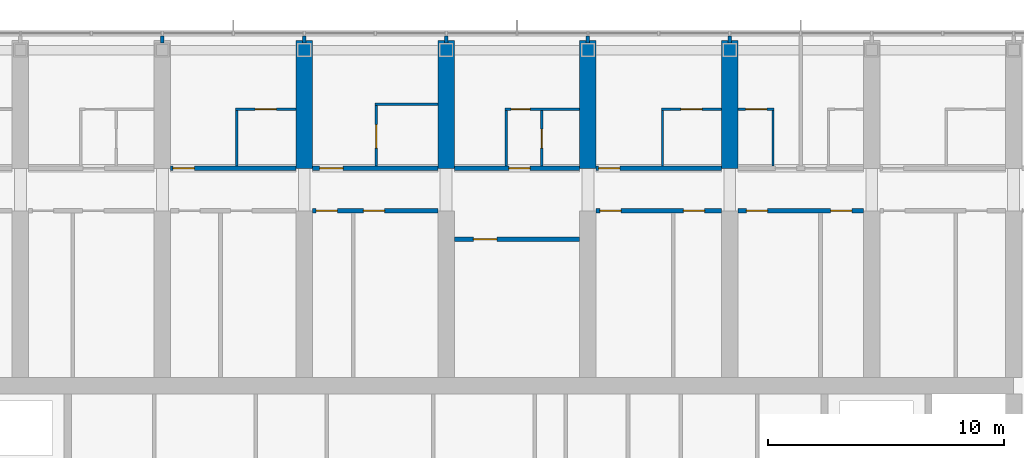
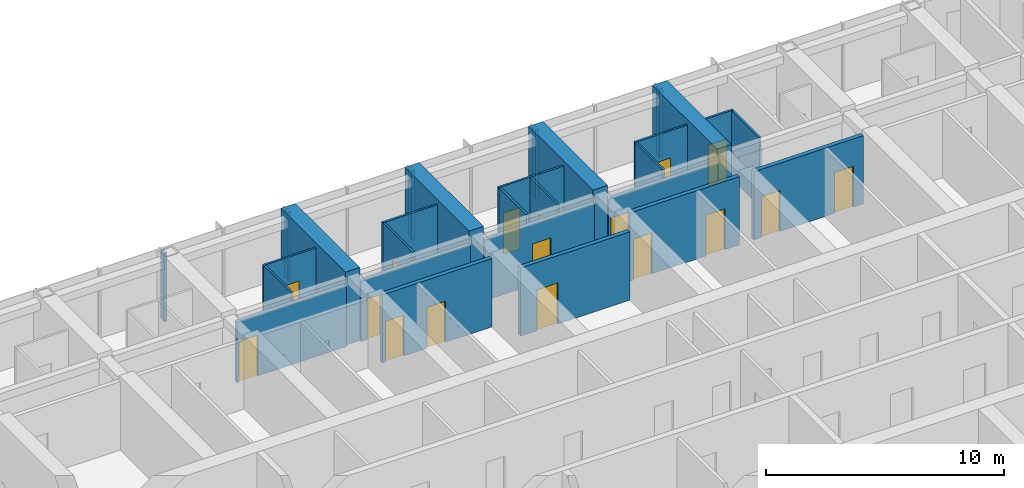
# One storey, part 16 of 23: 28 walls, 17 doors, 17 openings.
"""IFC4 building model written with IfcOpenShell, lengths in metres."""

from ifc_helpers import new_model, si_unit, direction, frame, frame_2d, origin, place, context, subcontext, project, spatial, polyline, rectangle, outline, extrude, material, layer, layer_set, type_object, element, fill, save


model = new_model("IFC4")

# Units and contexts
model_context = context("Model", 3, precision=1e-05, world=origin(), true_north=direction((0.0, 1.0)))
body_context = subcontext(model_context, "Body", "Model", "MODEL_VIEW")
ifc_project = project(units=[si_unit("LENGTHUNIT", "METRE"), si_unit("AREAUNIT", "SQUARE_METRE"), si_unit("VOLUMEUNIT", "CUBIC_METRE"), si_unit("PLANEANGLEUNIT", "RADIAN"), si_unit("MASSUNIT", "GRAM", prefix="KILO")], contexts=[model_context])

# Site, building, storey
site_placement = place(None, origin())
site = spatial("IfcSite", under=ifc_project, at=site_placement, CompositionType="ELEMENT")
building_placement = place(site_placement, origin())
building = spatial("IfcBuilding", under=site, at=building_placement, Name="Orbita Commons", CompositionType="ELEMENT")
storey_placement = place(building_placement, frame((0.0, 0.0, 220.300048828125)))
storey = spatial("IfcBuildingStorey", under=building, at=storey_placement, Name="L54", CompositionType="ELEMENT", Elevation=220.300048828125)

# Wall, opening, door
ifc_material_1 = material(Name="Concrete blockwork", Category="masonry")
ifc_layer_1 = layer(ifc_material_1, 0.199951171875)
ifc_layer_set_1 = layer_set([ifc_layer_1], Name="Concrete blockwork")
wall_type_1 = type_object("IfcWallType", Name="Corridor wall 200 blockwork", PredefinedType="SOLIDWALL", material=ifc_layer_set_1)
wall_1_placement = place(storey_placement, frame((30.35009765625, 47.39990234375, 0.0), z_axis=(0.0, 0.0, 1.0), x_axis=(1.0, 0.0, 0.0)))
wall_1 = element("IfcWall", 1, at=wall_1_placement, inside=storey, type_object=wall_type_1, Name="Corridor wall 200 blockwork L54", PredefinedType="SOLIDWALL", context=body_context, shape_type="SweptSolid", body=[
    extrude(outline(polyline([(0.0, 0.0), (5.2998046875, 0.0), (5.300048828125, 3.099853515625), (0.0, 3.099853515625), (0.0, 0.0)])), frame((0.0, 0.10009765625, 0.0), z_axis=(0.0, -1.0, 0.0), x_axis=(1.0, 0.0, 0.0)), (0.0, 0.0, 1.0), 0.199951171875),
])
opening_1_placement = place(wall_1_placement, frame((0.10009765625, 0.0, 0.0)))
opening_1 = element("IfcOpeningElement", 2, at=opening_1_placement, cuts=wall_1, Name="Opening D11", PredefinedType="OPENING", context=body_context, shape_type="SweptSolid", body=[
    extrude(rectangle(XDim=0.89990234375, YDim=2.10009765625, at=frame_2d((0.449951171875, 1.050048828125))), frame((0.0, 0.10986328125, 0.0), z_axis=(0.0, -1.0, 0.0), x_axis=(1.0, 0.0, 0.0)), (0.0, 0.0, 1.0), 0.219970703125),
])
ifc_material_2 = material(Name="Steel-faced fire door leaf", Category="steel")
door_type_1 = type_object("IfcDoorType", Name="Corridor door 20 min 900x2100", OperationType="SINGLE_SWING_LEFT", PredefinedType="DOOR", material=ifc_material_2)
door_1_placement = place(opening_1_placement, origin())
door_1 = element("IfcDoor", 3, at=door_1_placement, inside=storey, type_object=door_type_1, Name="Studio apartment with kitchenette L54-N04 door", OperationType="SINGLE_SWING_LEFT", OverallHeight=2.10009765625, OverallWidth=0.89990234375, PredefinedType="DOOR", context=body_context, shape_type="SweptSolid", body=[
    extrude(rectangle(XDim=0.89990234375, YDim=2.10009765625, at=frame_2d((0.449951171875, 1.050048828125))), frame((0.0, 0.02490234375, 0.0), z_axis=(0.0, -1.0, 0.0), x_axis=(1.0, 0.0, 0.0)), (0.0, 0.0, 1.0), 0.050048828125),
])
fill(opening_1, door_1)

wall_2_placement = place(storey_placement, frame((36.35009765625, 47.39990234375, 0.0), z_axis=(0.0, 0.0, 1.0), x_axis=(1.0, 0.0, 0.0)))
wall_2 = element("IfcWall", 4, at=wall_2_placement, inside=storey, type_object=wall_type_1, Name="Corridor wall 200 blockwork L54", PredefinedType="SOLIDWALL", context=body_context, shape_type="SweptSolid", body=[
    extrude(outline(polyline([(0.0, 0.0), (5.2998046875, 0.0), (5.300048828125, 3.099853515625), (0.0, 3.099853515625), (0.0, 0.0)])), frame((0.0, 0.10009765625, 0.0), z_axis=(0.0, -1.0, 0.0), x_axis=(1.0, 0.0, 0.0)), (0.0, 0.0, 1.0), 0.199951171875),
])
opening_2_placement = place(wall_2_placement, frame((0.300048828125, 0.0, 0.0)))
opening_2 = element("IfcOpeningElement", 5, at=opening_2_placement, cuts=wall_2, Name="Opening D06", PredefinedType="OPENING", context=body_context, shape_type="SweptSolid", body=[
    extrude(rectangle(XDim=1.0, YDim=2.10009765625, at=frame_2d((0.5, 1.050048828125))), frame((0.0, 0.10986328125, 0.0), z_axis=(0.0, -1.0, 0.0), x_axis=(1.0, 0.0, 0.0)), (0.0, 0.0, 1.0), 0.219970703125),
])
ifc_material_3 = material(Name="Steel-faced fire door leaf", Category="steel")
door_type_2 = type_object("IfcDoorType", Name="Corridor door 20 min 1000x2100", OperationType="SINGLE_SWING_LEFT", PredefinedType="DOOR", material=ifc_material_3)
door_2_placement = place(opening_2_placement, origin())
door_2 = element("IfcDoor", 6, at=door_2_placement, inside=storey, type_object=door_type_2, Name="Accessible bedroom L54-N06 door", OperationType="SINGLE_SWING_LEFT", OverallHeight=2.10009765625, OverallWidth=1.0, PredefinedType="DOOR", context=body_context, shape_type="SweptSolid", body=[
    extrude(rectangle(XDim=1.0, YDim=2.10009765625, at=frame_2d((0.5, 1.050048828125))), frame((0.0, 0.02490234375, 0.0), z_axis=(0.0, -1.0, 0.0), x_axis=(1.0, 0.0, 0.0)), (0.0, 0.0, 1.0), 0.050048828125),
])
fill(opening_2, door_2)

wall_3_placement = place(storey_placement, frame((42.35009765625, 47.39990234375, 0.0), z_axis=(0.0, 0.0, 1.0), x_axis=(1.0, 0.0, 0.0)))
wall_3 = element("IfcWall", 7, at=wall_3_placement, inside=storey, type_object=wall_type_1, Name="Corridor wall 200 blockwork L54", PredefinedType="SOLIDWALL", context=body_context, shape_type="SweptSolid", body=[
    extrude(outline(polyline([(0.0, 0.0), (5.2998046875, 0.0), (5.300048828125, 3.099853515625), (0.0, 3.099853515625), (0.0, 0.0)])), frame((0.0, 0.10009765625, 0.0), z_axis=(0.0, -1.0, 0.0), x_axis=(1.0, 0.0, 0.0)), (0.0, 0.0, 1.0), 0.199951171875),
])
opening_3_placement = place(wall_3_placement, frame((2.300048828125, 0.0, 0.0)))
opening_3 = element("IfcOpeningElement", 8, at=opening_3_placement, cuts=wall_3, Name="Opening D11", PredefinedType="OPENING", context=body_context, shape_type="SweptSolid", body=[
    extrude(rectangle(XDim=0.89990234375, YDim=2.10009765625, at=frame_2d((0.449951171875, 1.050048828125))), frame((0.0, 0.10986328125, 0.0), z_axis=(0.0, -1.0, 0.0), x_axis=(1.0, 0.0, 0.0)), (0.0, 0.0, 1.0), 0.219970703125),
])
door_3_placement = place(opening_3_placement, origin())
door_3 = element("IfcDoor", 9, at=door_3_placement, inside=storey, type_object=door_type_1, Name="Studio flat L54-N08 entrance door", OperationType="SINGLE_SWING_LEFT", OverallHeight=2.10009765625, OverallWidth=0.89990234375, PredefinedType="DOOR", context=body_context, shape_type="SweptSolid", body=[
    extrude(rectangle(XDim=0.89990234375, YDim=2.10009765625, at=frame_2d((0.449951171875, 1.050048828125))), frame((0.0, 0.02490234375, 0.0), z_axis=(0.0, -1.0, 0.0), x_axis=(1.0, 0.0, 0.0)), (0.0, 0.0, 1.0), 0.050048828125),
])
fill(opening_3, door_3)

wall_4_placement = place(storey_placement, frame((48.35009765625, 47.39990234375, 0.0), z_axis=(0.0, 0.0, 1.0), x_axis=(1.0, 0.0, 0.0)))
wall_4 = element("IfcWall", 10, at=wall_4_placement, inside=storey, type_object=wall_type_1, Name="Corridor wall 200 blockwork L54", PredefinedType="SOLIDWALL", context=body_context, shape_type="SweptSolid", body=[
    extrude(outline(polyline([(0.0, 0.0), (5.2998046875, 0.0), (5.300048828125, 3.099853515625), (0.0, 3.099853515625), (0.0, 0.0)])), frame((0.0, 0.10009765625, 0.0), z_axis=(0.0, -1.0, 0.0), x_axis=(1.0, 0.0, 0.0)), (0.0, 0.0, 1.0), 0.199951171875),
])
opening_4_placement = place(wall_4_placement, frame((0.10009765625, 0.0, 0.0)))
opening_4 = element("IfcOpeningElement", 11, at=opening_4_placement, cuts=wall_4, Name="Opening D11", PredefinedType="OPENING", context=body_context, shape_type="SweptSolid", body=[
    extrude(rectangle(XDim=0.89990234375, YDim=2.10009765625, at=frame_2d((0.449951171875, 1.050048828125))), frame((0.0, 0.10986328125, 0.0), z_axis=(0.0, -1.0, 0.0), x_axis=(1.0, 0.0, 0.0)), (0.0, 0.0, 1.0), 0.219970703125),
])
door_4_placement = place(opening_4_placement, origin())
door_4 = element("IfcDoor", 12, at=door_4_placement, inside=storey, type_object=door_type_1, Name="Studio apartment with kitchenette L54-N10 door", OperationType="SINGLE_SWING_LEFT", OverallHeight=2.10009765625, OverallWidth=0.89990234375, PredefinedType="DOOR", context=body_context, shape_type="SweptSolid", body=[
    extrude(rectangle(XDim=0.89990234375, YDim=2.10009765625, at=frame_2d((0.449951171875, 1.050048828125))), frame((0.0, 0.02490234375, 0.0), z_axis=(0.0, -1.0, 0.0), x_axis=(1.0, 0.0, 0.0)), (0.0, 0.0, 1.0), 0.050048828125),
])
fill(opening_4, door_4)

# Wall, openings, doors
ifc_material_4 = material(Name="Hollow concrete block 200", Category="concrete")
ifc_layer_2 = layer(ifc_material_4, 0.199951171875)
ifc_layer_set_2 = layer_set([ifc_layer_2], Name="Hollow concrete block 200")
wall_type_2 = type_object("IfcWallType", Name="Corridor wall 200 hollow concrete block", PredefinedType="SOLIDWALL", material=ifc_layer_set_2)
wall_5_placement = place(storey_placement, frame((36.35009765625, 45.60009765625, 0.0), z_axis=(0.0, 0.0, 1.0), x_axis=(1.0, 0.0, 0.0)))
wall_5 = element("IfcWall", 13, at=wall_5_placement, inside=storey, type_object=wall_type_2, Name="Corridor wall 200 hollow concrete block L54", PredefinedType="SOLIDWALL", context=body_context, shape_type="SweptSolid", body=[
    extrude(rectangle(XDim=5.2998046875, YDim=0.199951171875, at=frame_2d((2.64990234375, 0.0))), origin(), (0.0, 0.0, 1.0), 3.5),
])
opening_5_placement = place(wall_5_placement, frame((0.14990234375, 0.0, 0.0)))
opening_5 = element("IfcOpeningElement", 14, at=opening_5_placement, cuts=wall_5, Name="Opening D11", PredefinedType="OPENING", context=body_context, shape_type="SweptSolid", body=[
    extrude(rectangle(XDim=0.89990234375, YDim=2.10009765625, at=frame_2d((0.449951171875, 1.050048828125))), frame((0.0, 0.10986328125, 0.0), z_axis=(0.0, -1.0, 0.0), x_axis=(1.0, 0.0, 0.0)), (0.0, 0.0, 1.0), 0.219970703125),
])
opening_6_placement = place(wall_5_placement, frame((2.14990234375, 0.0, 0.0)))
opening_6 = element("IfcOpeningElement", 15, at=opening_6_placement, cuts=wall_5, Name="Opening D11", PredefinedType="OPENING", context=body_context, shape_type="SweptSolid", body=[
    extrude(rectangle(XDim=0.89990234375, YDim=2.10009765625, at=frame_2d((0.449951171875, 1.050048828125))), frame((0.0, 0.10986328125, 0.0), z_axis=(0.0, -1.0, 0.0), x_axis=(1.0, 0.0, 0.0)), (0.0, 0.0, 1.0), 0.219970703125),
])
door_5_placement = place(opening_5_placement, origin())
door_5 = element("IfcDoor", 16, at=door_5_placement, inside=storey, type_object=door_type_1, Name="Equipment store L54-BDN36n door", OperationType="SINGLE_SWING_LEFT", OverallHeight=2.10009765625, OverallWidth=0.89990234375, PredefinedType="DOOR", context=body_context, shape_type="SweptSolid", body=[
    extrude(rectangle(XDim=0.89990234375, YDim=2.10009765625, at=frame_2d((0.449951171875, 1.050048828125))), frame((0.0, 0.02490234375, 0.0), z_axis=(0.0, -1.0, 0.0), x_axis=(1.0, 0.0, 0.0)), (0.0, 0.0, 1.0), 0.050048828125),
])
fill(opening_5, door_5)
door_6_placement = place(opening_6_placement, origin())
door_6 = element("IfcDoor", 17, at=door_6_placement, inside=storey, type_object=door_type_1, Name="Ventilation plant room north L54-BDN36 door", OperationType="SINGLE_SWING_LEFT", OverallHeight=2.10009765625, OverallWidth=0.89990234375, PredefinedType="DOOR", context=body_context, shape_type="SweptSolid", body=[
    extrude(rectangle(XDim=0.89990234375, YDim=2.10009765625, at=frame_2d((0.449951171875, 1.050048828125))), frame((0.0, 0.02490234375, 0.0), z_axis=(0.0, -1.0, 0.0), x_axis=(1.0, 0.0, 0.0)), (0.0, 0.0, 1.0), 0.050048828125),
])
fill(opening_6, door_6)

wall_6_placement = place(storey_placement, frame((48.35009765625, 45.60009765625, 0.0), z_axis=(0.0, 0.0, 1.0), x_axis=(1.0, 0.0, 0.0)))
wall_6 = element("IfcWall", 18, at=wall_6_placement, inside=storey, type_object=wall_type_2, Name="Corridor wall 200 hollow concrete block L54", PredefinedType="SOLIDWALL", context=body_context, shape_type="SweptSolid", body=[
    extrude(rectangle(XDim=5.2998046875, YDim=0.199951171875, at=frame_2d((2.64990234375, 0.0))), origin(), (0.0, 0.0, 1.0), 3.5),
])
opening_7_placement = place(wall_6_placement, frame((0.14990234375, 0.0, 0.0)))
opening_7 = element("IfcOpeningElement", 19, at=opening_7_placement, cuts=wall_6, Name="Opening D11", PredefinedType="OPENING", context=body_context, shape_type="SweptSolid", body=[
    extrude(rectangle(XDim=0.89990234375, YDim=2.10009765625, at=frame_2d((0.449951171875, 1.050048828125))), frame((0.0, 0.10986328125, 0.0), z_axis=(0.0, -1.0, 0.0), x_axis=(1.0, 0.0, 0.0)), (0.0, 0.0, 1.0), 0.219970703125),
])
opening_8_placement = place(wall_6_placement, frame((3.68505859375, 0.0, 0.0)))
opening_8 = element("IfcOpeningElement", 20, at=opening_8_placement, cuts=wall_6, Name="Opening D11", PredefinedType="OPENING", context=body_context, shape_type="SweptSolid", body=[
    extrude(rectangle(XDim=0.89990234375, YDim=2.10009765625, at=frame_2d((0.449951171875, 1.050048828125))), frame((0.0, 0.10986328125, 0.0), z_axis=(0.0, -1.0, 0.0), x_axis=(1.0, 0.0, 0.0)), (0.0, 0.0, 1.0), 0.219970703125),
])
door_7_placement = place(opening_7_placement, origin())
door_7 = element("IfcDoor", 21, at=door_7_placement, inside=storey, type_object=door_type_1, Name="Refuse and recycling room L54-BDN48 door", OperationType="SINGLE_SWING_LEFT", OverallHeight=2.10009765625, OverallWidth=0.89990234375, PredefinedType="DOOR", context=body_context, shape_type="SweptSolid", body=[
    extrude(rectangle(XDim=0.89990234375, YDim=2.10009765625, at=frame_2d((0.449951171875, 1.050048828125))), frame((0.0, 0.02490234375, 0.0), z_axis=(0.0, -1.0, 0.0), x_axis=(1.0, 0.0, 0.0)), (0.0, 0.0, 1.0), 0.050048828125),
])
fill(opening_7, door_7)
door_8_placement = place(opening_8_placement, origin())
door_8 = element("IfcDoor", 22, at=door_8_placement, inside=storey, type_object=door_type_1, Name="Luggage store L54-BDN48n door", OperationType="SINGLE_SWING_LEFT", OverallHeight=2.10009765625, OverallWidth=0.89990234375, PredefinedType="DOOR", context=body_context, shape_type="SweptSolid", body=[
    extrude(rectangle(XDim=0.89990234375, YDim=2.10009765625, at=frame_2d((0.449951171875, 1.050048828125))), frame((0.0, 0.02490234375, 0.0), z_axis=(0.0, -1.0, 0.0), x_axis=(1.0, 0.0, 0.0)), (0.0, 0.0, 1.0), 0.050048828125),
])
fill(opening_8, door_8)

wall_7_placement = place(storey_placement, frame((54.35009765625, 45.60009765625, 0.0), z_axis=(0.0, 0.0, 1.0), x_axis=(1.0, 0.0, 0.0)))
wall_7 = element("IfcWall", 23, at=wall_7_placement, inside=storey, type_object=wall_type_2, Name="Corridor wall 200 hollow concrete block L54", PredefinedType="SOLIDWALL", context=body_context, shape_type="SweptSolid", body=[
    extrude(rectangle(XDim=5.2998046875, YDim=0.199951171875, at=frame_2d((2.64990234375, 0.0))), origin(), (0.0, 0.0, 1.0), 3.5),
])
opening_9_placement = place(wall_7_placement, frame((0.35009765625, 0.0, 0.0)))
opening_9 = element("IfcOpeningElement", 24, at=opening_9_placement, cuts=wall_7, Name="Opening D11", PredefinedType="OPENING", context=body_context, shape_type="SweptSolid", body=[
    extrude(rectangle(XDim=0.89990234375, YDim=2.10009765625, at=frame_2d((0.449951171875, 1.050048828125))), frame((0.0, 0.10986328125, 0.0), z_axis=(0.0, -1.0, 0.0), x_axis=(1.0, 0.0, 0.0)), (0.0, 0.0, 1.0), 0.219970703125),
])
opening_10_placement = place(wall_7_placement, frame((3.909912109375, 0.0, 0.0)))
opening_10 = element("IfcOpeningElement", 25, at=opening_10_placement, cuts=wall_7, Name="Opening D11", PredefinedType="OPENING", context=body_context, shape_type="SweptSolid", body=[
    extrude(rectangle(XDim=0.89990234375, YDim=2.10009765625, at=frame_2d((0.449951171875, 1.050048828125))), frame((0.0, 0.10986328125, 0.0), z_axis=(0.0, -1.0, 0.0), x_axis=(1.0, 0.0, 0.0)), (0.0, 0.0, 1.0), 0.219970703125),
])
door_9_placement = place(opening_9_placement, origin())
door_9 = element("IfcDoor", 26, at=door_9_placement, inside=storey, type_object=door_type_1, Name="Bulk storage room L54-BDN54 door", OperationType="SINGLE_SWING_LEFT", OverallHeight=2.10009765625, OverallWidth=0.89990234375, PredefinedType="DOOR", context=body_context, shape_type="SweptSolid", body=[
    extrude(rectangle(XDim=0.89990234375, YDim=2.10009765625, at=frame_2d((0.449951171875, 1.050048828125))), frame((0.0, 0.02490234375, 0.0), z_axis=(0.0, -1.0, 0.0), x_axis=(1.0, 0.0, 0.0)), (0.0, 0.0, 1.0), 0.050048828125),
])
fill(opening_9, door_9)
door_10_placement = place(opening_10_placement, origin())
door_10 = element("IfcDoor", 27, at=door_10_placement, inside=storey, type_object=door_type_1, Name="Battery and UPS room L54-BDN54n door", OperationType="SINGLE_SWING_LEFT", OverallHeight=2.10009765625, OverallWidth=0.89990234375, PredefinedType="DOOR", context=body_context, shape_type="SweptSolid", body=[
    extrude(rectangle(XDim=0.89990234375, YDim=2.10009765625, at=frame_2d((0.449951171875, 1.050048828125))), frame((0.0, 0.02490234375, 0.0), z_axis=(0.0, -1.0, 0.0), x_axis=(1.0, 0.0, 0.0)), (0.0, 0.0, 1.0), 0.050048828125),
])
fill(opening_10, door_10)

# Wall, opening, door
wall_8_placement = place(storey_placement, frame((42.35009765625, 44.39990234375, 0.0), z_axis=(0.0, 0.0, 1.0), x_axis=(1.0, 0.0, 0.0)))
wall_8 = element("IfcWall", 28, at=wall_8_placement, inside=storey, type_object=wall_type_2, Name="Corridor wall 200 hollow concrete block L54", PredefinedType="SOLIDWALL", context=body_context, shape_type="SweptSolid", body=[
    extrude(rectangle(XDim=5.2998046875, YDim=0.199951171875, at=frame_2d((2.64990234375, 0.0))), origin(), (0.0, 0.0, 1.0), 3.5),
])
opening_11_placement = place(wall_8_placement, frame((0.800048828125, 0.0, 0.0)))
opening_11 = element("IfcOpeningElement", 29, at=opening_11_placement, cuts=wall_8, Name="Opening D06", PredefinedType="OPENING", context=body_context, shape_type="SweptSolid", body=[
    extrude(rectangle(XDim=1.0, YDim=2.10009765625, at=frame_2d((0.5, 1.050048828125))), frame((0.0, 0.10986328125, 0.0), z_axis=(0.0, -1.0, 0.0), x_axis=(1.0, 0.0, 0.0)), (0.0, 0.0, 1.0), 0.219970703125),
])
door_11_placement = place(opening_11_placement, origin())
door_11 = element("IfcDoor", 30, at=door_11_placement, inside=storey, type_object=door_type_2, Name="Store L54-BDN42 door", OperationType="SINGLE_SWING_LEFT", OverallHeight=2.10009765625, OverallWidth=1.0, PredefinedType="DOOR", context=body_context, shape_type="SweptSolid", body=[
    extrude(rectangle(XDim=1.0, YDim=2.10009765625, at=frame_2d((0.5, 1.050048828125))), frame((0.0, 0.02490234375, 0.0), z_axis=(0.0, -1.0, 0.0), x_axis=(1.0, 0.0, 0.0)), (0.0, 0.0, 1.0), 0.050048828125),
])
fill(opening_11, door_11)

# Walls
ifc_material_5 = material(Name="Concrete C50/60", Category="concrete")
ifc_layer_3 = layer(ifc_material_5, 0.699951171875)
ifc_layer_set_3 = layer_set([ifc_layer_3], Name="Concrete C50/60")
wall_type_3 = type_object("IfcWallType", Name="Cross wall 700 C50/60", PredefinedType="SHEAR", material=ifc_layer_set_3)
for number, where, z_axis, x_axis, name in (
    (31, (36.0, 47.39990234375, 0.0), (0.0, 0.0, 1.0), (0.0, 1.0, 0.0), "Cross wall 7 north outer L54"),
    (32, (42.0, 47.39990234375, 0.0), (0.0, 0.0, 1.0), (0.0, 1.0, 0.0), "Cross wall 8 north outer L54"),
    (33, (48.0, 47.39990234375, 0.0), (0.0, 0.0, 1.0), (0.0, 1.0, 0.0), "Cross wall 9 north outer L54"),
    (34, (54.0, 47.39990234375, 0.0), (0.0, 0.0, 1.0), (0.0, 1.0, 0.0), "Cross wall 10 north outer L54"),
):
    element("IfcWall", number, at=place(storey_placement, frame(where, z_axis=z_axis, x_axis=x_axis)), inside=storey, type_object=wall_type_3, Name=name, PredefinedType="SHEAR", context=body_context, shape_type="SweptSolid", body=[
        extrude(rectangle(XDim=5.400146484375, YDim=0.699951171875, at=frame_2d((2.7001953125, 0.0))), origin(), (0.0, 0.0, 1.0), 3.75),
    ])

# Wall, opening, door
ifc_material_6 = material(Name="Moisture-resistant plasterboard on steel studs", Category="steel")
ifc_layer_4 = layer(ifc_material_6, 0.10009765625)
ifc_layer_set_4 = layer_set([ifc_layer_4], Name="Moisture-resistant plasterboard on steel studs")
wall_type_4 = type_object("IfcWallType", Name="En-suite partition 100", PredefinedType="PARTITIONING", material=ifc_layer_set_4)
wall_9_placement = place(storey_placement, frame((33.10009765625, 49.89990234375, 0.0), z_axis=(0.0, 0.0, 1.0), x_axis=(1.0, 0.0, 0.0)))
wall_9 = element("IfcWall", 35, at=wall_9_placement, inside=storey, type_object=wall_type_4, Name="En-suite partition 100 L54", PredefinedType="PARTITIONING", context=body_context, shape_type="SweptSolid", body=[
    extrude(rectangle(XDim=2.5498046875, YDim=0.10009765625, at=frame_2d((1.27490234375, 0.0))), origin(), (0.0, 0.0, 1.0), 3.5),
])
opening_12_placement = place(wall_9_placement, frame((0.824951171875, 0.0, 0.0)))
opening_12 = element("IfcOpeningElement", 36, at=opening_12_placement, cuts=wall_9, Name="Opening D09", PredefinedType="OPENING", context=body_context, shape_type="SweptSolid", body=[
    extrude(rectangle(XDim=0.89990234375, YDim=2.10009765625, at=frame_2d((0.449951171875, 1.050048828125))), frame((0.0, 0.06005859375, 0.0), z_axis=(0.0, -1.0, 0.0), x_axis=(1.0, 0.0, 0.0)), (0.0, 0.0, 1.0), 0.1201171875),
])
ifc_material_7 = material(Name="Laminated timber door leaf", Category="wood")
door_type_3 = type_object("IfcDoorType", Name="En-suite door 900x2100", OperationType="SINGLE_SWING_RIGHT", PredefinedType="DOOR", material=ifc_material_7)
door_12_placement = place(opening_12_placement, origin())
door_12 = element("IfcDoor", 37, at=door_12_placement, inside=storey, type_object=door_type_3, Name="En-suite L54-N04 door", OperationType="SINGLE_SWING_RIGHT", OverallHeight=2.10009765625, OverallWidth=0.89990234375, PredefinedType="DOOR", context=body_context, shape_type="SweptSolid", body=[
    extrude(rectangle(XDim=0.89990234375, YDim=2.10009765625, at=frame_2d((0.449951171875, 1.050048828125))), frame((0.0, 0.02490234375, 0.0), z_axis=(0.0, -1.0, 0.0), x_axis=(1.0, 0.0, 0.0)), (0.0, 0.0, 1.0), 0.050048828125),
])
fill(opening_12, door_12)

# Walls
wall_10_placement = place(storey_placement, frame((33.14990234375, 49.85009765625, 0.0), z_axis=(0.0, 0.0, 1.0), x_axis=(0.0, -1.0, 0.0)))
element("IfcWall", 38, at=wall_10_placement, inside=storey, type_object=wall_type_4, Name="En-suite partition 100 L54", PredefinedType="PARTITIONING", context=body_context, shape_type="SweptSolid", body=[
    extrude(outline(polyline([(0.0, 0.0), (2.35009765625, 0.0), (2.35009765625, 3.099853515625), (2.302001953125, 3.099853515625), (2.300048828125, 3.5), (0.0, 3.5), (0.0, 0.0)])), frame((0.0, 0.050048828125, 0.0), z_axis=(0.0, -1.0, 0.0), x_axis=(1.0, 0.0, 0.0)), (0.0, 0.0, 1.0), 0.10009765625),
])
wall_11_placement = place(storey_placement, frame((39.0, 50.10009765625, 0.0), z_axis=(0.0, 0.0, 1.0), x_axis=(1.0, 0.0, 0.0)))
element("IfcWall", 39, at=wall_11_placement, inside=storey, type_object=wall_type_4, Name="En-suite partition 100 L54", PredefinedType="PARTITIONING", context=body_context, shape_type="SweptSolid", body=[
    extrude(rectangle(XDim=2.64990234375, YDim=0.10009765625, at=frame_2d((1.324951171875, 0.0))), origin(), (0.0, 0.0, 1.0), 3.5),
])

# Wall, opening, door
wall_12_placement = place(storey_placement, frame((39.050048828125, 50.050048828125, 0.0), z_axis=(0.0, 0.0, 1.0), x_axis=(0.0, -1.0, 0.0)))
wall_12 = element("IfcWall", 40, at=wall_12_placement, inside=storey, type_object=wall_type_4, Name="En-suite partition 100 L54", PredefinedType="PARTITIONING", context=body_context, shape_type="SweptSolid", body=[
    extrude(outline(polyline([(0.0, 0.0), (2.550048828125, 0.0), (2.550048828125, 3.099853515625), (2.501953125, 3.099853515625), (2.5, 3.5), (0.0, 3.5), (0.0, 0.0)])), frame((0.0, 0.050048828125, 0.0), z_axis=(0.0, -1.0, 0.0), x_axis=(1.0, 0.0, 0.0)), (0.0, 0.0, 1.0), 0.10009765625),
])
opening_13_placement = place(wall_12_placement, frame((0.800048828125, 0.0, 0.0)))
opening_13 = element("IfcOpeningElement", 41, at=opening_13_placement, cuts=wall_12, Name="Opening D13", PredefinedType="OPENING", context=body_context, shape_type="SweptSolid", body=[
    extrude(rectangle(XDim=1.0, YDim=2.10009765625, at=frame_2d((0.5, 1.050048828125))), frame((0.0, 0.06005859375, 0.0), z_axis=(0.0, -1.0, 0.0), x_axis=(1.0, 0.0, 0.0)), (0.0, 0.0, 1.0), 0.1201171875),
])
ifc_material_8 = material(Name="Laminated timber door leaf", Category="wood")
door_type_4 = type_object("IfcDoorType", Name="En-suite door 1000x2100", OperationType="SINGLE_SWING_RIGHT", PredefinedType="DOOR", material=ifc_material_8)
door_13_placement = place(opening_13_placement, origin())
door_13 = element("IfcDoor", 42, at=door_13_placement, inside=storey, type_object=door_type_4, Name="Accessible shower room L54-N06 door", OperationType="SINGLE_SWING_RIGHT", OverallHeight=2.10009765625, OverallWidth=1.0, PredefinedType="DOOR", context=body_context, shape_type="SweptSolid", body=[
    extrude(rectangle(XDim=1.0, YDim=2.10009765625, at=frame_2d((0.5, 1.050048828125))), frame((0.0, 0.02490234375, 0.0), z_axis=(0.0, -1.0, 0.0), x_axis=(1.0, 0.0, 0.0)), (0.0, 0.0, 1.0), 0.050048828125),
])
fill(opening_13, door_13)

wall_13_placement = place(storey_placement, frame((44.5, 49.89990234375, 0.0), z_axis=(0.0, 0.0, 1.0), x_axis=(1.0, 0.0, 0.0)))
wall_13 = element("IfcWall", 43, at=wall_13_placement, inside=storey, type_object=wall_type_4, Name="En-suite partition 100 L54", PredefinedType="PARTITIONING", context=body_context, shape_type="SweptSolid", body=[
    extrude(rectangle(XDim=3.14990234375, YDim=0.10009765625, at=frame_2d((1.574951171875, 0.0))), origin(), (0.0, 0.0, 1.0), 3.5),
])
opening_14_placement = place(wall_13_placement, frame((0.25, 0.0, 0.0)))
opening_14 = element("IfcOpeningElement", 44, at=opening_14_placement, cuts=wall_13, Name="Opening D16", PredefinedType="OPENING", context=body_context, shape_type="SweptSolid", body=[
    extrude(rectangle(XDim=0.800048828125, YDim=2.10009765625, at=frame_2d((0.39990234375, 1.050048828125))), frame((0.0, 0.06005859375, 0.0), z_axis=(0.0, -1.0, 0.0), x_axis=(1.0, 0.0, 0.0)), (0.0, 0.0, 1.0), 0.1201171875),
])
ifc_material_9 = material(Name="Laminated timber door leaf", Category="wood")
door_type_5 = type_object("IfcDoorType", Name="En-suite door 800x2100", OperationType="SINGLE_SWING_RIGHT", PredefinedType="DOOR", material=ifc_material_9)
door_14_placement = place(opening_14_placement, origin())
door_14 = element("IfcDoor", 45, at=door_14_placement, inside=storey, type_object=door_type_5, Name="Studio flat L54-N08 door", OperationType="SINGLE_SWING_RIGHT", OverallHeight=2.10009765625, OverallWidth=0.800048828125, PredefinedType="DOOR", context=body_context, shape_type="SweptSolid", body=[
    extrude(rectangle(XDim=0.800048828125, YDim=2.10009765625, at=frame_2d((0.39990234375, 1.050048828125))), frame((0.0, 0.02490234375, 0.0), z_axis=(0.0, -1.0, 0.0), x_axis=(1.0, 0.0, 0.0)), (0.0, 0.0, 1.0), 0.050048828125),
])
fill(opening_14, door_14)

# Wall
wall_14_placement = place(storey_placement, frame((44.550048828125, 49.85009765625, 0.0), z_axis=(0.0, 0.0, 1.0), x_axis=(0.0, -1.0, 0.0)))
element("IfcWall", 46, at=wall_14_placement, inside=storey, type_object=wall_type_4, Name="En-suite partition 100 L54", PredefinedType="PARTITIONING", context=body_context, shape_type="SweptSolid", body=[
    extrude(outline(polyline([(0.0, 0.0), (2.35009765625, 0.0), (2.35009765625, 3.099853515625), (2.302001953125, 3.099853515625), (2.300048828125, 3.5), (0.0, 3.5), (0.0, 0.0)])), frame((0.0, 0.050048828125, 0.0), z_axis=(0.0, -1.0, 0.0), x_axis=(1.0, 0.0, 0.0)), (0.0, 0.0, 1.0), 0.10009765625),
])

# Wall, opening, door
wall_15_placement = place(storey_placement, frame((46.050048828125, 49.85009765625, 0.0), z_axis=(0.0, 0.0, 1.0), x_axis=(0.0, -1.0, 0.0)))
wall_15 = element("IfcWall", 47, at=wall_15_placement, inside=storey, type_object=wall_type_4, Name="En-suite partition 100 L54", PredefinedType="PARTITIONING", context=body_context, shape_type="SweptSolid", body=[
    extrude(outline(polyline([(0.0, 0.0), (2.35009765625, 0.0), (2.35009765625, 3.099853515625), (2.302001953125, 3.099853515625), (2.300048828125, 3.5), (0.0, 3.5), (0.0, 0.0)])), frame((0.0, 0.050048828125, 0.0), z_axis=(0.0, -1.0, 0.0), x_axis=(1.0, 0.0, 0.0)), (0.0, 0.0, 1.0), 0.10009765625),
])
opening_15_placement = place(wall_15_placement, frame((0.800048828125, 0.0, 0.0)))
opening_15 = element("IfcOpeningElement", 48, at=opening_15_placement, cuts=wall_15, Name="Opening D16", PredefinedType="OPENING", context=body_context, shape_type="SweptSolid", body=[
    extrude(rectangle(XDim=0.800048828125, YDim=2.10009765625, at=frame_2d((0.39990234375, 1.050048828125))), frame((0.0, 0.06005859375, 0.0), z_axis=(0.0, -1.0, 0.0), x_axis=(1.0, 0.0, 0.0)), (0.0, 0.0, 1.0), 0.1201171875),
])
door_15_placement = place(opening_15_placement, origin())
door_15 = element("IfcDoor", 49, at=door_15_placement, inside=storey, type_object=door_type_5, Name="Studio flat shower room L54-N08 door", OperationType="SINGLE_SWING_RIGHT", OverallHeight=2.10009765625, OverallWidth=0.800048828125, PredefinedType="DOOR", context=body_context, shape_type="SweptSolid", body=[
    extrude(rectangle(XDim=0.800048828125, YDim=2.10009765625, at=frame_2d((0.39990234375, 1.050048828125))), frame((0.0, 0.02490234375, 0.0), z_axis=(0.0, -1.0, 0.0), x_axis=(1.0, 0.0, 0.0)), (0.0, 0.0, 1.0), 0.050048828125),
])
fill(opening_15, door_15)

wall_16_placement = place(storey_placement, frame((51.10009765625, 49.89990234375, 0.0), z_axis=(0.0, 0.0, 1.0), x_axis=(1.0, 0.0, 0.0)))
wall_16 = element("IfcWall", 50, at=wall_16_placement, inside=storey, type_object=wall_type_4, Name="En-suite partition 100 L54", PredefinedType="PARTITIONING", context=body_context, shape_type="SweptSolid", body=[
    extrude(rectangle(XDim=2.5498046875, YDim=0.10009765625, at=frame_2d((1.27490234375, 0.0))), origin(), (0.0, 0.0, 1.0), 3.5),
])
opening_16_placement = place(wall_16_placement, frame((0.824951171875, 0.0, 0.0)))
opening_16 = element("IfcOpeningElement", 51, at=opening_16_placement, cuts=wall_16, Name="Opening D09", PredefinedType="OPENING", context=body_context, shape_type="SweptSolid", body=[
    extrude(rectangle(XDim=0.89990234375, YDim=2.10009765625, at=frame_2d((0.449951171875, 1.050048828125))), frame((0.0, 0.06005859375, 0.0), z_axis=(0.0, -1.0, 0.0), x_axis=(1.0, 0.0, 0.0)), (0.0, 0.0, 1.0), 0.1201171875),
])
door_16_placement = place(opening_16_placement, origin())
door_16 = element("IfcDoor", 52, at=door_16_placement, inside=storey, type_object=door_type_3, Name="En-suite L54-N10 door", OperationType="SINGLE_SWING_RIGHT", OverallHeight=2.10009765625, OverallWidth=0.89990234375, PredefinedType="DOOR", context=body_context, shape_type="SweptSolid", body=[
    extrude(rectangle(XDim=0.89990234375, YDim=2.10009765625, at=frame_2d((0.449951171875, 1.050048828125))), frame((0.0, 0.02490234375, 0.0), z_axis=(0.0, -1.0, 0.0), x_axis=(1.0, 0.0, 0.0)), (0.0, 0.0, 1.0), 0.050048828125),
])
fill(opening_16, door_16)

# Wall
wall_17_placement = place(storey_placement, frame((51.14990234375, 49.85009765625, 0.0), z_axis=(0.0, 0.0, 1.0), x_axis=(0.0, -1.0, 0.0)))
element("IfcWall", 53, at=wall_17_placement, inside=storey, type_object=wall_type_4, Name="En-suite partition 100 L54", PredefinedType="PARTITIONING", context=body_context, shape_type="SweptSolid", body=[
    extrude(outline(polyline([(0.0, 0.0), (2.35009765625, 0.0), (2.35009765625, 3.099853515625), (2.302001953125, 3.099853515625), (2.300048828125, 3.5), (0.0, 3.5), (0.0, 0.0)])), frame((0.0, 0.050048828125, 0.0), z_axis=(0.0, -1.0, 0.0), x_axis=(1.0, 0.0, 0.0)), (0.0, 0.0, 1.0), 0.10009765625),
])

# Wall, opening, door
wall_18_placement = place(storey_placement, frame((54.35009765625, 49.89990234375, 0.0), z_axis=(0.0, 0.0, 1.0), x_axis=(1.0, 0.0, 0.0)))
wall_18 = element("IfcWall", 54, at=wall_18_placement, inside=storey, type_object=wall_type_4, Name="En-suite partition 100 L54", PredefinedType="PARTITIONING", context=body_context, shape_type="SweptSolid", body=[
    extrude(rectangle(XDim=1.52490234375, YDim=0.10009765625, at=frame_2d((0.762451171875, 0.0))), origin(), (0.0, 0.0, 1.0), 3.5),
])
opening_17_placement = place(wall_18_placement, frame((0.3125, 0.0, 0.0)))
opening_17 = element("IfcOpeningElement", 55, at=opening_17_placement, cuts=wall_18, Name="Opening D09", PredefinedType="OPENING", context=body_context, shape_type="SweptSolid", body=[
    extrude(rectangle(XDim=0.89990234375, YDim=2.10009765625, at=frame_2d((0.449951171875, 1.050048828125))), frame((0.0, 0.06005859375, 0.0), z_axis=(0.0, -1.0, 0.0), x_axis=(1.0, 0.0, 0.0)), (0.0, 0.0, 1.0), 0.1201171875),
])
door_17_placement = place(opening_17_placement, origin())
door_17 = element("IfcDoor", 56, at=door_17_placement, inside=storey, type_object=door_type_3, Name="En-suite L54-N12 door", OperationType="SINGLE_SWING_RIGHT", OverallHeight=2.10009765625, OverallWidth=0.89990234375, PredefinedType="DOOR", context=body_context, shape_type="SweptSolid", body=[
    extrude(rectangle(XDim=0.89990234375, YDim=2.10009765625, at=frame_2d((0.449951171875, 1.050048828125))), frame((0.0, 0.02490234375, 0.0), z_axis=(0.0, -1.0, 0.0), x_axis=(1.0, 0.0, 0.0)), (0.0, 0.0, 1.0), 0.050048828125),
])
fill(opening_17, door_17)

# Walls
wall_19_placement = place(storey_placement, frame((55.824951171875, 49.85009765625, 0.0), z_axis=(0.0, 0.0, 1.0), x_axis=(0.0, -1.0, 0.0)))
element("IfcWall", 57, at=wall_19_placement, inside=storey, type_object=wall_type_4, Name="En-suite partition 100 L54", PredefinedType="PARTITIONING", context=body_context, shape_type="SweptSolid", body=[
    extrude(outline(polyline([(0.0, 0.0), (2.35009765625, 0.0), (2.35009765625, 3.099853515625), (2.302001953125, 3.099853515625), (2.300048828125, 3.5), (0.0, 3.5), (0.0, 0.0)])), frame((0.0, 0.050048828125, 0.0), z_axis=(0.0, -1.0, 0.0), x_axis=(1.0, 0.0, 0.0)), (0.0, 0.0, 1.0), 0.10009765625),
])
ifc_material_10 = material(Name="Gypsum plasterboard on steel studs", Category="steel")
ifc_layer_5 = layer(ifc_material_10, 0.14990234375)
ifc_layer_set_5 = layer_set([ifc_layer_5], Name="Gypsum plasterboard on steel studs")
wall_type_5 = type_object("IfcWallType", Name="Partition 150 plasterboard", PredefinedType="PARTITIONING", material=ifc_layer_set_5)
for number, where, z_axis, x_axis, name in (
    (58, (30.0, 52.699951171875, 0.0), (0.0, 0.0, 1.0), (0.0, 1.0, 0.0), "Partition 150 plasterboard L54"),
    (59, (36.0, 52.699951171875, 0.0), (0.0, 0.0, 1.0), (0.0, 1.0, 0.0), "Partition 150 plasterboard L54"),
    (60, (42.0, 52.699951171875, 0.0), (0.0, 0.0, 1.0), (0.0, 1.0, 0.0), "Partition 150 plasterboard L54"),
    (61, (48.0, 52.699951171875, 0.0), (0.0, 0.0, 1.0), (0.0, 1.0, 0.0), "Partition 150 plasterboard L54"),
    (62, (54.0, 52.699951171875, 0.0), (0.0, 0.0, 1.0), (0.0, 1.0, 0.0), "Partition 150 plasterboard L54"),
):
    element("IfcWall", number, at=place(storey_placement, frame(where, z_axis=z_axis, x_axis=x_axis)), inside=storey, type_object=wall_type_5, Name=name, PredefinedType="PARTITIONING", context=body_context, shape_type="SweptSolid", body=[
        extrude(rectangle(XDim=0.2900390625, YDim=0.14990234375, at=frame_2d((0.14501953125, 0.0))), origin(), (0.0, 0.0, 1.0), 3.5),
    ])

save(model, "model.ifc")
